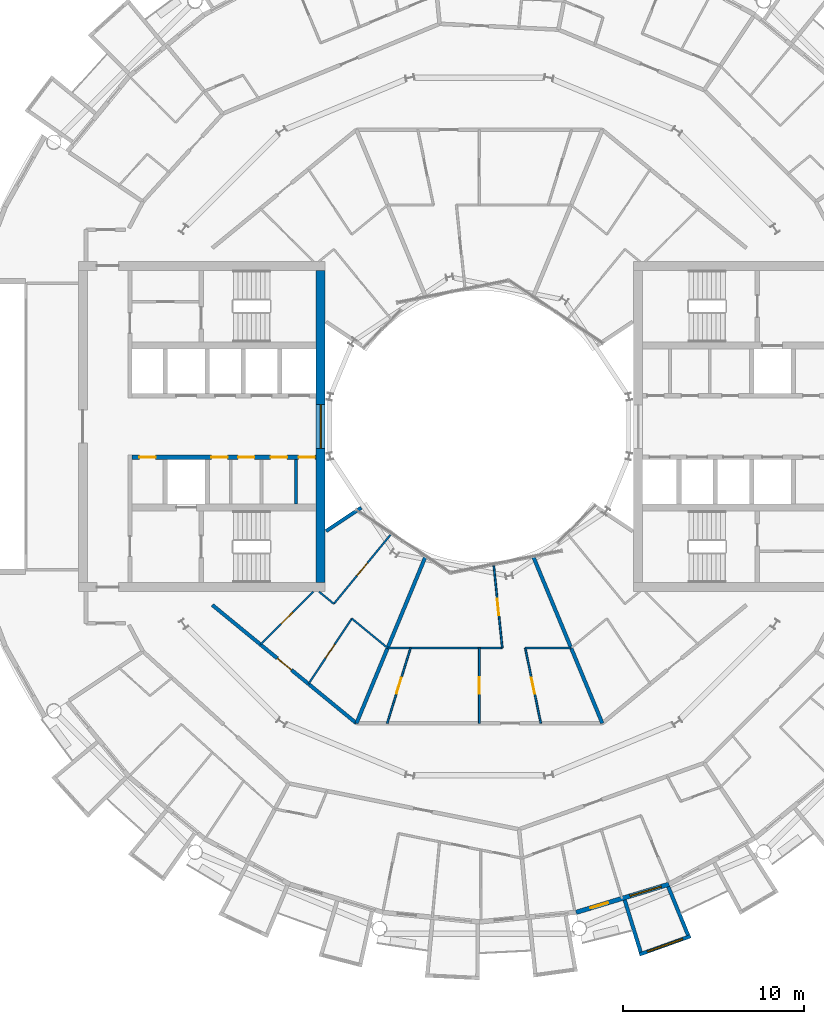
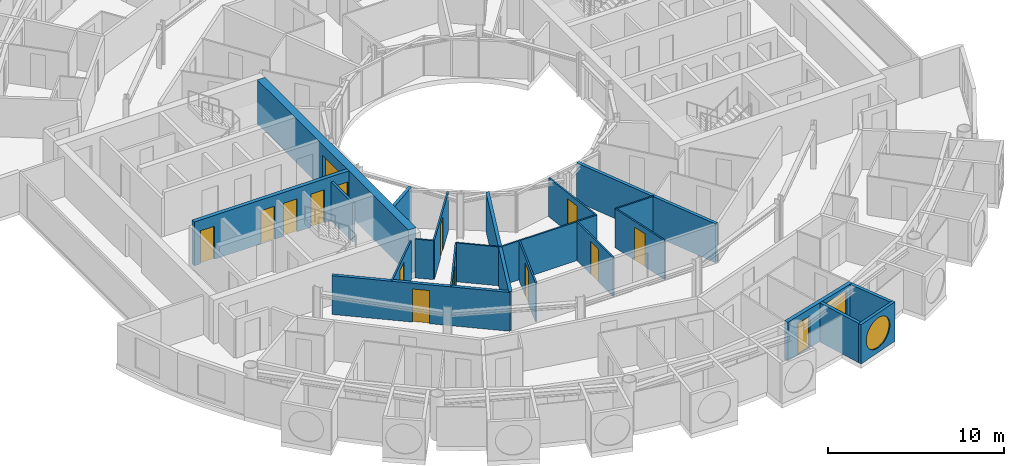
# One storey, part 16 of 28: 22 walls, 14 doors, 3 windows, 17 openings.
"""IFC4 building model written with IfcOpenShell, lengths in metres."""

from ifc_helpers import new_model, si_unit, direction, frame, frame_2d, origin, place, context, subcontext, project, spatial, rectangle, circle, extrude, material, layer, layer_set, type_object, element, fill, save


model = new_model("IFC4")

# Units and contexts
model_context = context("Model", 3, precision=1e-05, world=origin(), true_north=direction((0.0, 1.0)))
body_context = subcontext(model_context, "Body", "Model", "MODEL_VIEW")
ifc_project = project(units=[si_unit("LENGTHUNIT", "METRE"), si_unit("AREAUNIT", "SQUARE_METRE"), si_unit("VOLUMEUNIT", "CUBIC_METRE"), si_unit("PLANEANGLEUNIT", "RADIAN"), si_unit("MASSUNIT", "GRAM", prefix="KILO")], contexts=[model_context])

# Site, building, storey
site_placement = place(None, origin())
site = spatial("IfcSite", under=ifc_project, at=site_placement, CompositionType="ELEMENT")
building_placement = place(site_placement, origin())
building = spatial("IfcBuilding", under=site, at=building_placement, Name="Maasbend Ring Residences", CompositionType="ELEMENT")
storey_placement = place(building_placement, frame((0.0, 0.0, 173.800048828125)))
storey = spatial("IfcBuildingStorey", under=building, at=storey_placement, Name="L50", CompositionType="ELEMENT", Elevation=173.800048828125)

# Wall, openings, doors
ifc_material_1 = material(Name="Concrete C60/75", Category="concrete")
ifc_layer_1 = layer(ifc_material_1, 0.25)
ifc_layer_set_1 = layer_set([ifc_layer_1], Name="Concrete C60/75")
wall_type_1 = type_object("IfcWallType", Name="CORE WALL 250 C60/75", PredefinedType="SHEAR", material=ifc_layer_set_1)
wall_1_placement = place(storey_placement, frame((-9.0, -1.699951171875, 0.0), z_axis=(0.0, 0.0, 1.0), x_axis=(-1.0, 0.0, 0.0)))
wall_1 = element("IfcWall", 1, at=wall_1_placement, inside=storey, type_object=wall_type_1, Name="L50 core W wall SPN", PredefinedType="SHEAR", context=body_context, shape_type="SweptSolid", body=[
    extrude(rectangle(XDim=10.14990234375, YDim=0.25, at=frame_2d((5.074951171875, 0.0))), origin(), (0.0, 0.0, 1.0), 3.050048828125),
])
opening_1_placement = place(wall_1_placement, frame((0.0625, 0.0, 0.0)))
opening_1 = element("IfcOpeningElement", 2, at=opening_1_placement, cuts=wall_1, Name="Opening D-W5006", PredefinedType="OPENING", context=body_context, shape_type="SweptSolid", body=[
    extrude(rectangle(XDim=0.89990234375, YDim=2.300048828125, at=frame_2d((0.449951171875, 1.14990234375))), frame((0.0, 0.135009765625, 0.0), z_axis=(0.0, -1.0, 0.0), x_axis=(1.0, 0.0, 0.0)), (0.0, 0.0, 1.0), 0.27001953125),
])
opening_2_placement = place(wall_1_placement, frame((1.60009765625, 0.0, 0.0)))
opening_2 = element("IfcOpeningElement", 3, at=opening_2_placement, cuts=wall_1, Name="Opening D-W5007", PredefinedType="OPENING", context=body_context, shape_type="SweptSolid", body=[
    extrude(rectangle(XDim=0.89990234375, YDim=2.300048828125, at=frame_2d((0.449951171875, 1.14990234375))), frame((0.0, 0.135009765625, 0.0), z_axis=(0.0, -1.0, 0.0), x_axis=(1.0, 0.0, 0.0)), (0.0, 0.0, 1.0), 0.27001953125),
])
opening_3_placement = place(wall_1_placement, frame((3.39990234375, 0.0, 0.0)))
opening_3 = element("IfcOpeningElement", 4, at=opening_3_placement, cuts=wall_1, Name="Opening D-W5008", PredefinedType="OPENING", context=body_context, shape_type="SweptSolid", body=[
    extrude(rectangle(XDim=0.89990234375, YDim=2.300048828125, at=frame_2d((0.449951171875, 1.14990234375))), frame((0.0, 0.135009765625, 0.0), z_axis=(0.0, -1.0, 0.0), x_axis=(1.0, 0.0, 0.0)), (0.0, 0.0, 1.0), 0.27001953125),
])
opening_4_placement = place(wall_1_placement, frame((4.875, 0.0, 0.0)))
opening_4 = element("IfcOpeningElement", 5, at=opening_4_placement, cuts=wall_1, Name="Opening D-W5009", PredefinedType="OPENING", context=body_context, shape_type="SweptSolid", body=[
    extrude(rectangle(XDim=0.89990234375, YDim=2.300048828125, at=frame_2d((0.449951171875, 1.14990234375))), frame((0.0, 0.135009765625, 0.0), z_axis=(0.0, -1.0, 0.0), x_axis=(1.0, 0.0, 0.0)), (0.0, 0.0, 1.0), 0.27001953125),
])
opening_5_placement = place(wall_1_placement, frame((8.83740234375, 0.0, 0.0)))
opening_5 = element("IfcOpeningElement", 6, at=opening_5_placement, cuts=wall_1, Name="Opening D-W5010", PredefinedType="OPENING", context=body_context, shape_type="SweptSolid", body=[
    extrude(rectangle(XDim=0.89990234375, YDim=2.300048828125, at=frame_2d((0.449951171875, 1.14990234375))), frame((0.0, 0.135009765625, 0.0), z_axis=(0.0, -1.0, 0.0), x_axis=(1.0, 0.0, 0.0)), (0.0, 0.0, 1.0), 0.27001953125),
])
ifc_material_2 = material(Name="Steel, powder coated", Category="steel")
door_type_1 = type_object("IfcDoorType", Name="ROOM DOOR 900 X 2300 FD30S", OperationType="NOTDEFINED", PredefinedType="DOOR", material=ifc_material_2)
door_1_placement = place(opening_1_placement, origin())
door_1 = element("IfcDoor", 7, at=door_1_placement, inside=storey, type_object=door_type_1, Name="Room door L50", OperationType="SINGLE_SWING_RIGHT", OverallHeight=2.300048828125, OverallWidth=0.89990234375, PredefinedType="DOOR", context=body_context, shape_type="SweptSolid", body=[
    extrude(rectangle(XDim=0.89990234375, YDim=2.300048828125, at=frame_2d((0.449951171875, 1.14990234375))), frame((0.0, 0.02490234375, 0.0), z_axis=(0.0, -1.0, 0.0), x_axis=(1.0, 0.0, 0.0)), (0.0, 0.0, 1.0), 0.050048828125),
])
fill(opening_1, door_1)
door_2_placement = place(opening_2_placement, origin())
door_2 = element("IfcDoor", 8, at=door_2_placement, inside=storey, type_object=door_type_1, Name="Room door L50", OperationType="SINGLE_SWING_RIGHT", OverallHeight=2.300048828125, OverallWidth=0.89990234375, PredefinedType="DOOR", context=body_context, shape_type="SweptSolid", body=[
    extrude(rectangle(XDim=0.89990234375, YDim=2.300048828125, at=frame_2d((0.449951171875, 1.14990234375))), frame((0.0, 0.02490234375, 0.0), z_axis=(0.0, -1.0, 0.0), x_axis=(1.0, 0.0, 0.0)), (0.0, 0.0, 1.0), 0.050048828125),
])
fill(opening_2, door_2)
door_3_placement = place(opening_3_placement, origin())
door_3 = element("IfcDoor", 9, at=door_3_placement, inside=storey, type_object=door_type_1, Name="Room door L50", OperationType="SINGLE_SWING_RIGHT", OverallHeight=2.300048828125, OverallWidth=0.89990234375, PredefinedType="DOOR", context=body_context, shape_type="SweptSolid", body=[
    extrude(rectangle(XDim=0.89990234375, YDim=2.300048828125, at=frame_2d((0.449951171875, 1.14990234375))), frame((0.0, 0.02490234375, 0.0), z_axis=(0.0, -1.0, 0.0), x_axis=(1.0, 0.0, 0.0)), (0.0, 0.0, 1.0), 0.050048828125),
])
fill(opening_3, door_3)
door_4_placement = place(opening_4_placement, origin())
door_4 = element("IfcDoor", 10, at=door_4_placement, inside=storey, type_object=door_type_1, Name="Room door L50", OperationType="SINGLE_SWING_LEFT", OverallHeight=2.300048828125, OverallWidth=0.89990234375, PredefinedType="DOOR", context=body_context, shape_type="SweptSolid", body=[
    extrude(rectangle(XDim=0.89990234375, YDim=2.300048828125, at=frame_2d((0.449951171875, 1.14990234375))), frame((0.0, 0.02490234375, 0.0), z_axis=(0.0, -1.0, 0.0), x_axis=(1.0, 0.0, 0.0)), (0.0, 0.0, 1.0), 0.050048828125),
])
fill(opening_4, door_4)
door_5_placement = place(opening_5_placement, origin())
door_5 = element("IfcDoor", 11, at=door_5_placement, inside=storey, type_object=door_type_1, Name="Room door L50", OperationType="SINGLE_SWING_LEFT", OverallHeight=2.300048828125, OverallWidth=0.89990234375, PredefinedType="DOOR", context=body_context, shape_type="SweptSolid", body=[
    extrude(rectangle(XDim=0.89990234375, YDim=2.300048828125, at=frame_2d((0.449951171875, 1.14990234375))), frame((0.0, 0.02490234375, 0.0), z_axis=(0.0, -1.0, 0.0), x_axis=(1.0, 0.0, 0.0)), (0.0, 0.0, 1.0), 0.050048828125),
])
fill(opening_5, door_5)

# Wall, opening, window
ifc_material_3 = material(Name="Concrete C60/75", Category="concrete")
ifc_layer_2 = layer(ifc_material_3, 0.5)
ifc_layer_set_2 = layer_set([ifc_layer_2], Name="Concrete C60/75")
wall_type_2 = type_object("IfcWallType", Name="CORE WALL 500 C60/75", PredefinedType="SHEAR", material=ifc_layer_set_2)
wall_2_placement = place(storey_placement, frame((-8.75, 8.60009765625, 0.0), z_axis=(0.0, 0.0, 1.0), x_axis=(0.0, -1.0, 0.0)))
wall_2 = element("IfcWall", 12, at=wall_2_placement, inside=storey, type_object=wall_type_2, Name="L50 core W wall PIN", PredefinedType="SHEAR", context=body_context, shape_type="SweptSolid", body=[
    extrude(rectangle(XDim=17.2001953125, YDim=0.5, at=frame_2d((8.60009765625, 0.0))), origin(), (0.0, 0.0, 1.0), 3.050048828125),
])
opening_6_placement = place(wall_2_placement, frame((7.39990234375, 0.0, 0.10009765625)))
opening_6 = element("IfcOpeningElement", 13, at=opening_6_placement, cuts=wall_2, Name="Opening W-W5001", PredefinedType="OPENING", context=body_context, shape_type="SweptSolid", body=[
    extrude(rectangle(XDim=2.39990234375, YDim=2.199951171875, at=frame_2d((1.199951171875, 1.10009765625))), frame((0.0, 0.260009765625, 0.0), z_axis=(0.0, -1.0, 0.0), x_axis=(1.0, 0.0, 0.0)), (0.0, 0.0, 1.0), 0.52001953125),
])
ifc_material_4 = material(Name="Aluminium frame and clear glass", Category="aluminium")
window_type_1 = type_object("IfcWindowType", Name="FIXED WINDOW 2400 X 2200", PartitioningType="SINGLE_PANEL", PredefinedType="WINDOW", material=ifc_material_4)
window_1_placement = place(opening_6_placement, origin())
window_1 = element("IfcWindow", 14, at=window_1_placement, inside=storey, type_object=window_type_1, Name="Lobby window L50", OverallHeight=2.199951171875, OverallWidth=2.39990234375, PartitioningType="SINGLE_PANEL", PredefinedType="WINDOW", context=body_context, shape_type="SweptSolid", body=[
    extrude(rectangle(XDim=2.39990234375, YDim=2.199951171875, at=frame_2d((1.199951171875, 1.10009765625))), frame((0.0, 0.030029296875, 0.0), z_axis=(0.0, -1.0, 0.0), x_axis=(1.0, 0.0, 0.0)), (0.0, 0.0, 1.0), 0.06005859375),
])
fill(opening_6, window_1)

# Wall, opening, door
ifc_material_5 = material(Name="Concrete C30/37", Category="concrete")
ifc_layer_3 = layer(ifc_material_5, 0.199951171875)
ifc_layer_set_3 = layer_set([ifc_layer_3], Name="Concrete C30/37")
wall_type_3 = type_object("IfcWallType", Name="CORRIDOR WALL 200 CONCRETE", PredefinedType="PARTITIONING", material=ifc_layer_set_3)
wall_3_placement = place(storey_placement, frame((-14.717041015625, -9.833984375, 0.0), z_axis=(0.0, 0.0, 1.0), x_axis=(0.773034536097, -0.634363938131, 0.0)))
wall_3 = element("IfcWall", 15, at=wall_3_placement, inside=storey, type_object=wall_type_3, Name="U-L50-w017", PredefinedType="PARTITIONING", context=body_context, shape_type="SweptSolid", body=[
    extrude(rectangle(XDim=10.276611328125, YDim=0.199951171875, at=frame_2d((5.13818359375, 0.0))), origin(), (0.0, 0.0, 1.0), 2.699951171875),
])
opening_7_placement = place(wall_3_placement, frame((4.637939453125, 0.0, 0.0)))
opening_7 = element("IfcOpeningElement", 16, at=opening_7_placement, cuts=wall_3, Name="Opening D-5052", PredefinedType="OPENING", context=body_context, shape_type="SweptSolid", body=[
    extrude(rectangle(XDim=1.0, YDim=2.300048828125, at=frame_2d((0.5, 1.14990234375))), frame((0.0, 0.10986328125, 0.0), z_axis=(0.0, -1.0, 0.0), x_axis=(1.0, 0.0, 0.0)), (0.0, 0.0, 1.0), 0.219970703125),
])
ifc_material_6 = material(Name="Timber, fire-rated, painted", Category="wood")
door_type_2 = type_object("IfcDoorType", Name="FLAT ENTRANCE DOOR 1000 X 2300 FIRE-RATED", OperationType="NOTDEFINED", PredefinedType="DOOR", material=ifc_material_6)
door_6_placement = place(opening_7_placement, origin())
door_6 = element("IfcDoor", 17, at=door_6_placement, inside=storey, type_object=door_type_2, Name="D-5052", OperationType="SINGLE_SWING_LEFT", OverallHeight=2.300048828125, OverallWidth=1.0, PredefinedType="DOOR", context=body_context, shape_type="SweptSolid", body=[
    extrude(rectangle(XDim=1.0, YDim=2.300048828125, at=frame_2d((0.5, 1.14990234375))), frame((0.0, 0.02490234375, 0.0), z_axis=(0.0, -1.0, 0.0), x_axis=(1.0, 0.0, 0.0)), (0.0, 0.0, 1.0), 0.050048828125),
])
fill(opening_7, door_6)

# Wall, opening, window
ifc_material_7 = material(Name="Pale anodised aluminium panel", Category="aluminium")
ifc_layer_4 = layer(ifc_material_7, 0.199951171875)
ifc_layer_set_4 = layer_set([ifc_layer_4], Name="EW-BOX")
wall_type_4 = type_object("IfcWallType", Name="EW-BOX", PredefinedType="SOLIDWALL", material=ifc_layer_set_4)
wall_4_placement = place(storey_placement, frame((8.820068359375, -29.093017578125, -0.030029296875), z_axis=(0.0, 0.0, 1.0), x_axis=(0.941461077774, 0.337121697664, 0.0)))
wall_4 = element("IfcWall", 18, at=wall_4_placement, inside=storey, type_object=wall_type_4, Name="Box front S14", PredefinedType="SOLIDWALL", context=body_context, shape_type="SweptSolid", body=[
    extrude(rectangle(XDim=2.9931640625, YDim=0.199951171875, at=frame_2d((1.49658203125, 0.0))), origin(), (0.0, 0.0, 1.0), 2.72998046875),
])
opening_8_placement = place(wall_4_placement, frame((0.45654296875, 0.0, 0.330078125)))
opening_8 = element("IfcOpeningElement", 19, at=opening_8_placement, cuts=wall_4, Name="Opening W-RD", PredefinedType="OPENING", context=body_context, shape_type="SweptSolid", body=[
    extrude(circle(Radius=1.0400390625, at=frame_2d((1.0400390625, 1.0400390625))), frame((0.0, 0.10986328125, 0.0), z_axis=(0.0, -1.0, 0.0), x_axis=(1.0, 0.0, 0.0)), (0.0, 0.0, 1.0), 0.219970703125),
])
ifc_material_8 = material(Name="Aluminium and clear glass", Category="aluminium")
window_type_2 = type_object("IfcWindowType", Name="W-RD", PartitioningType="SINGLE_PANEL", PredefinedType="WINDOW", material=ifc_material_8)
window_2_placement = place(opening_8_placement, origin())
window_2 = element("IfcWindow", 20, at=window_2_placement, inside=storey, type_object=window_type_2, Name="Round window S14", OverallHeight=2.080078125, OverallWidth=2.080078125, PartitioningType="SINGLE_PANEL", PredefinedType="WINDOW", context=body_context, shape_type="SweptSolid", body=[
    extrude(circle(Radius=1.0400390625, at=frame_2d((1.0400390625, 1.0400390625))), frame((0.0, 0.030029296875, 0.0), z_axis=(0.0, -1.0, 0.0), x_axis=(1.0, 0.0, 0.0)), (0.0, 0.0, 1.0), 0.06005859375),
])
fill(opening_8, window_2)

# Walls
wall_5_placement = place(storey_placement, frame((8.009033203125, -26.092041015625, -0.030029296875), z_axis=(0.0, 0.0, 1.0), x_axis=(0.293406695073, -0.955987715029, 0.0)))
element("IfcWall", 21, at=wall_5_placement, inside=storey, type_object=wall_type_4, Name="Box side wall S14 left", PredefinedType="SOLIDWALL", context=body_context, shape_type="SweptSolid", body=[
    extrude(rectangle(XDim=3.00634765625, YDim=0.199951171875, at=frame_2d((1.503173828125, 0.0))), origin(), (0.0, 0.0, 1.0), 2.72998046875),
])
wall_6_placement = place(storey_placement, frame((10.408935546875, -25.364013671875, -0.030029296875), z_axis=(0.0, 0.0, 1.0), x_axis=(0.379509886562, -0.925187681501, 0.0)))
element("IfcWall", 22, at=wall_6_placement, inside=storey, type_object=wall_type_4, Name="Box side wall S14 right", PredefinedType="SOLIDWALL", context=body_context, shape_type="SweptSolid", body=[
    extrude(rectangle(XDim=2.882568359375, YDim=0.199951171875, at=frame_2d((1.44140625, 0.0))), origin(), (0.0, 0.0, 1.0), 2.72998046875),
])

# Wall, openings, door, window
ifc_material_9 = material(Name="Aluminium clad insulated panel", Category="aluminium")
ifc_layer_5 = layer(ifc_material_9, 0.25)
ifc_layer_set_5 = layer_set([ifc_layer_5], Name="EW-GL")
wall_type_5 = type_object("IfcWallType", Name="EW-GL", PredefinedType="SOLIDWALL", material=ifc_layer_set_5)
wall_7_placement = place(storey_placement, frame((5.325927734375, -26.77490234375, 0.0), z_axis=(0.0, 0.0, 1.0), x_axis=(0.956965678721, 0.290201119486, 0.0)))
wall_7 = element("IfcWall", 23, at=wall_7_placement, inside=storey, type_object=wall_type_5, Name="External wall S07", PredefinedType="SOLIDWALL", context=body_context, shape_type="SweptSolid", body=[
    extrude(rectangle(XDim=5.351318359375, YDim=0.25, at=frame_2d((2.67578125, 0.0))), origin(), (0.0, 0.0, 1.0), 2.699951171875),
])
opening_9_placement = place(wall_7_placement, frame((0.841064453125, 0.0, 0.0)))
opening_9 = element("IfcOpeningElement", 24, at=opening_9_placement, cuts=wall_7, Name="Opening D-LG", PredefinedType="OPENING", context=body_context, shape_type="SweptSolid", body=[
    extrude(rectangle(XDim=1.0, YDim=2.199951171875, at=frame_2d((0.5, 1.10009765625))), frame((0.0, 0.135009765625, 0.0), z_axis=(0.0, -1.0, 0.0), x_axis=(1.0, 0.0, 0.0)), (0.0, 0.0, 1.0), 0.27001953125),
])
opening_10_placement = place(wall_7_placement, frame((3.110595703125, 0.0, 0.300048828125)))
opening_10 = element("IfcOpeningElement", 25, at=opening_10_placement, cuts=wall_7, Name="Opening W-BX", PredefinedType="OPENING", context=body_context, shape_type="SweptSolid", body=[
    extrude(rectangle(XDim=1.800048828125, YDim=2.10009765625, at=frame_2d((0.89990234375, 1.050048828125))), frame((0.0, 0.135009765625, 0.0), z_axis=(0.0, -1.0, 0.0), x_axis=(1.0, 0.0, 0.0)), (0.0, 0.0, 1.0), 0.27001953125),
])
ifc_material_10 = material(Name="Aluminium and clear glass", Category="aluminium")
door_type_3 = type_object("IfcDoorType", Name="D-LG", OperationType="SINGLE_SWING_LEFT", PredefinedType="DOOR", material=ifc_material_10)
door_7_placement = place(opening_9_placement, origin())
door_7 = element("IfcDoor", 26, at=door_7_placement, inside=storey, type_object=door_type_3, Name="Loggia door S13", OperationType="SINGLE_SWING_LEFT", OverallHeight=2.199951171875, OverallWidth=1.0, PredefinedType="DOOR", context=body_context, shape_type="SweptSolid", body=[
    extrude(rectangle(XDim=1.0, YDim=2.199951171875, at=frame_2d((0.5, 1.10009765625))), frame((0.0, 0.02490234375, 0.0), z_axis=(0.0, -1.0, 0.0), x_axis=(1.0, 0.0, 0.0)), (0.0, 0.0, 1.0), 0.050048828125),
])
fill(opening_9, door_7)
ifc_material_11 = material(Name="Aluminium and clear glass", Category="aluminium")
window_type_3 = type_object("IfcWindowType", Name="W-BX", PartitioningType="DOUBLE_PANEL_VERTICAL", PredefinedType="WINDOW", material=ifc_material_11)
window_3_placement = place(opening_10_placement, origin())
window_3 = element("IfcWindow", 27, at=window_3_placement, inside=storey, type_object=window_type_3, Name="Window S14 room to box", OverallHeight=2.10009765625, OverallWidth=1.800048828125, PartitioningType="SINGLE_PANEL", PredefinedType="WINDOW", context=body_context, shape_type="SweptSolid", body=[
    extrude(rectangle(XDim=1.800048828125, YDim=2.10009765625, at=frame_2d((0.89990234375, 1.050048828125))), frame((0.0, 0.030029296875, 0.0), z_axis=(0.0, -1.0, 0.0), x_axis=(1.0, 0.0, 0.0)), (0.0, 0.0, 1.0), 0.06005859375),
])
fill(opening_10, window_3)

# Walls
ifc_material_12 = material(Name="Gypsum board on steel studs", Category="steel")
ifc_layer_6 = layer(ifc_material_12, 0.10009765625)
ifc_layer_set_6 = layer_set([ifc_layer_6], Name="PARTITION 100 GYPSUM")
wall_type_6 = type_object("IfcWallType", Name="PARTITION 100 GYPSUM", PredefinedType="PARTITIONING", material=ifc_layer_set_6)
wall_8_placement = place(storey_placement, frame((-8.839111328125, -9.097900390625, 0.0), z_axis=(0.0, 0.0, 1.0), x_axis=(0.7731800648, -0.634186555673, 0.0)))
element("IfcWall", 28, at=wall_8_placement, inside=storey, type_object=wall_type_6, Name="U-L50-w020", PredefinedType="PARTITIONING", context=body_context, shape_type="SweptSolid", body=[
    extrude(rectangle(XDim=1.064453125, YDim=0.10009765625, at=frame_2d((0.5322265625, 0.0))), origin(), (0.0, 0.0, 1.0), 2.699951171875),
])
wall_9_placement = place(storey_placement, frame((-7.031005859375, -10.58203125, 0.0), z_axis=(0.0, 0.0, 1.0), x_axis=(0.772943675046, -0.634474645046, 0.0)))
element("IfcWall", 29, at=wall_9_placement, inside=storey, type_object=wall_type_6, Name="U-L50-w021", PredefinedType="PARTITIONING", context=body_context, shape_type="SweptSolid", body=[
    extrude(rectangle(XDim=2.556640625, YDim=0.10009765625, at=frame_2d((1.2783203125, 0.0))), origin(), (0.0, 0.0, 1.0), 2.699951171875),
])
wall_10_placement = place(storey_placement, frame((-5.054931640625, -12.2041015625, 0.0), z_axis=(0.0, 0.0, 1.0), x_axis=(1.0, 0.0, 0.0)))
element("IfcWall", 30, at=wall_10_placement, inside=storey, type_object=wall_type_6, Name="U-L50-w024", PredefinedType="PARTITIONING", context=body_context, shape_type="SweptSolid", body=[
    extrude(rectangle(XDim=6.31884765625, YDim=0.10009765625, at=frame_2d((3.159423828125, 0.0))), origin(), (0.0, 0.0, 1.0), 2.699951171875),
])
wall_11_placement = place(storey_placement, frame((2.527099609375, -12.2041015625, 0.0), z_axis=(0.0, 0.0, 1.0), x_axis=(1.0, 0.0, 0.0)))
element("IfcWall", 31, at=wall_11_placement, inside=storey, type_object=wall_type_6, Name="U-L50-w025", PredefinedType="PARTITIONING", context=body_context, shape_type="SweptSolid", body=[
    extrude(rectangle(XDim=2.52783203125, YDim=0.10009765625, at=frame_2d((1.263916015625, 0.0))), origin(), (0.0, 0.0, 1.0), 2.699951171875),
])

# Wall, opening, door
wall_12_placement = place(storey_placement, frame((-12.06494140625, -12.010986328125, 0.0), z_axis=(0.0, 0.0, 1.0), x_axis=(0.708793214553, 0.705416316088, 0.0)))
wall_12 = element("IfcWall", 32, at=wall_12_placement, inside=storey, type_object=wall_type_6, Name="U-L50-w044", PredefinedType="PARTITIONING", context=body_context, shape_type="SweptSolid", body=[
    extrude(rectangle(XDim=4.120849609375, YDim=0.10009765625, at=frame_2d((2.060546875, 0.0))), origin(), (0.0, 0.0, 1.0), 2.699951171875),
])
opening_11_placement = place(wall_12_placement, frame((1.611083984375, 0.0, 0.0)))
opening_11 = element("IfcOpeningElement", 33, at=opening_11_placement, cuts=wall_12, Name="Opening D-5054", PredefinedType="OPENING", context=body_context, shape_type="SweptSolid", body=[
    extrude(rectangle(XDim=0.89990234375, YDim=2.300048828125, at=frame_2d((0.449951171875, 1.14990234375))), frame((0.0, 0.06005859375, 0.0), z_axis=(0.0, -1.0, 0.0), x_axis=(1.0, 0.0, 0.0)), (0.0, 0.0, 1.0), 0.1201171875),
])
ifc_material_13 = material(Name="Timber, painted", Category="wood")
door_type_4 = type_object("IfcDoorType", Name="INTERNAL DOOR 900 X 2300", OperationType="NOTDEFINED", PredefinedType="DOOR", material=ifc_material_13)
door_8_placement = place(opening_11_placement, origin())
door_8 = element("IfcDoor", 34, at=door_8_placement, inside=storey, type_object=door_type_4, Name="D-5054", OperationType="SINGLE_SWING_LEFT", OverallHeight=2.300048828125, OverallWidth=0.89990234375, PredefinedType="DOOR", context=body_context, shape_type="SweptSolid", body=[
    extrude(rectangle(XDim=0.89990234375, YDim=2.300048828125, at=frame_2d((0.449951171875, 1.14990234375))), frame((0.0, 0.02490234375, 0.0), z_axis=(0.0, -1.0, 0.0), x_axis=(1.0, 0.0, 0.0)), (0.0, 0.0, 1.0), 0.050048828125),
])
fill(opening_11, door_8)

wall_13_placement = place(storey_placement, frame((-9.41796875, -14.181884765625, 0.0), z_axis=(0.0, 0.0, 1.0), x_axis=(0.553303732327, 0.832979579457, 0.0)))
wall_13 = element("IfcWall", 35, at=wall_13_placement, inside=storey, type_object=wall_type_6, Name="U-L50-w047", PredefinedType="PARTITIONING", context=body_context, shape_type="SweptSolid", body=[
    extrude(rectangle(XDim=4.3193359375, YDim=0.10009765625, at=frame_2d((2.15966796875, 0.0))), origin(), (0.0, 0.0, 1.0), 2.699951171875),
])
opening_12_placement = place(wall_13_placement, frame((1.7099609375, 0.0, 0.0)))
opening_12 = element("IfcOpeningElement", 36, at=opening_12_placement, cuts=wall_13, Name="Opening D-5053", PredefinedType="OPENING", context=body_context, shape_type="SweptSolid", body=[
    extrude(rectangle(XDim=0.89990234375, YDim=2.300048828125, at=frame_2d((0.449951171875, 1.14990234375))), frame((0.0, 0.06005859375, 0.0), z_axis=(0.0, -1.0, 0.0), x_axis=(1.0, 0.0, 0.0)), (0.0, 0.0, 1.0), 0.1201171875),
])
door_9_placement = place(opening_12_placement, origin())
door_9 = element("IfcDoor", 37, at=door_9_placement, inside=storey, type_object=door_type_4, Name="D-5053", OperationType="SINGLE_SWING_RIGHT", OverallHeight=2.300048828125, OverallWidth=0.89990234375, PredefinedType="DOOR", context=body_context, shape_type="SweptSolid", body=[
    extrude(rectangle(XDim=0.89990234375, YDim=2.300048828125, at=frame_2d((0.449951171875, 1.14990234375))), frame((0.0, 0.02490234375, 0.0), z_axis=(0.0, -1.0, 0.0), x_axis=(1.0, 0.0, 0.0)), (0.0, 0.0, 1.0), 0.050048828125),
])
fill(opening_12, door_9)

wall_14_placement = place(storey_placement, frame((-8.01904296875, -9.77099609375, 0.0), z_axis=(0.0, 0.0, 1.0), x_axis=(0.634401778971, 0.773003481776, 0.0)))
wall_14 = element("IfcWall", 38, at=wall_14_placement, inside=storey, type_object=wall_type_6, Name="U-L50-w049", PredefinedType="PARTITIONING", context=body_context, shape_type="SweptSolid", body=[
    extrude(rectangle(XDim=4.919677734375, YDim=0.10009765625, at=frame_2d((2.4599609375, 0.0))), origin(), (0.0, 0.0, 1.0), 2.699951171875),
])
opening_13_placement = place(wall_14_placement, frame((2.010009765625, 0.0, 0.0)))
opening_13 = element("IfcOpeningElement", 39, at=opening_13_placement, cuts=wall_14, Name="Opening D-5055", PredefinedType="OPENING", context=body_context, shape_type="SweptSolid", body=[
    extrude(rectangle(XDim=0.89990234375, YDim=2.300048828125, at=frame_2d((0.449951171875, 1.14990234375))), frame((0.0, 0.06005859375, 0.0), z_axis=(0.0, -1.0, 0.0), x_axis=(1.0, 0.0, 0.0)), (0.0, 0.0, 1.0), 0.1201171875),
])
door_10_placement = place(opening_13_placement, origin())
door_10 = element("IfcDoor", 40, at=door_10_placement, inside=storey, type_object=door_type_4, Name="D-5055", OperationType="SINGLE_SWING_LEFT", OverallHeight=2.300048828125, OverallWidth=0.89990234375, PredefinedType="DOOR", context=body_context, shape_type="SweptSolid", body=[
    extrude(rectangle(XDim=0.89990234375, YDim=2.300048828125, at=frame_2d((0.449951171875, 1.14990234375))), frame((0.0, 0.02490234375, 0.0), z_axis=(0.0, -1.0, 0.0), x_axis=(1.0, 0.0, 0.0)), (0.0, 0.0, 1.0), 0.050048828125),
])
fill(opening_13, door_10)

wall_15_placement = place(storey_placement, frame((-5.080078125, -16.35302734375, 0.0), z_axis=(0.0, 0.0, 1.0), x_axis=(0.29670674532, 0.954968642041, 0.0)))
wall_15 = element("IfcWall", 41, at=wall_15_placement, inside=storey, type_object=wall_type_6, Name="U-L50-w055", PredefinedType="PARTITIONING", context=body_context, shape_type="SweptSolid", body=[
    extrude(rectangle(XDim=4.344482421875, YDim=0.10009765625, at=frame_2d((2.17236328125, 0.0))), origin(), (0.0, 0.0, 1.0), 2.699951171875),
])
opening_14_placement = place(wall_15_placement, frame((1.721923828125, 0.0, 0.0)))
opening_14 = element("IfcOpeningElement", 42, at=opening_14_placement, cuts=wall_15, Name="Opening D-5059", PredefinedType="OPENING", context=body_context, shape_type="SweptSolid", body=[
    extrude(rectangle(XDim=0.89990234375, YDim=2.300048828125, at=frame_2d((0.449951171875, 1.14990234375))), frame((0.0, 0.06005859375, 0.0), z_axis=(0.0, -1.0, 0.0), x_axis=(1.0, 0.0, 0.0)), (0.0, 0.0, 1.0), 0.1201171875),
])
door_11_placement = place(opening_14_placement, origin())
door_11 = element("IfcDoor", 43, at=door_11_placement, inside=storey, type_object=door_type_4, Name="D-5059", OperationType="SINGLE_SWING_LEFT", OverallHeight=2.300048828125, OverallWidth=0.89990234375, PredefinedType="DOOR", context=body_context, shape_type="SweptSolid", body=[
    extrude(rectangle(XDim=0.89990234375, YDim=2.300048828125, at=frame_2d((0.449951171875, 1.14990234375))), frame((0.0, 0.02490234375, 0.0), z_axis=(0.0, -1.0, 0.0), x_axis=(1.0, 0.0, 0.0)), (0.0, 0.0, 1.0), 0.050048828125),
])
fill(opening_14, door_11)

wall_16_placement = place(storey_placement, frame((0.0, -16.35302734375, 0.0), z_axis=(0.0, 0.0, 1.0), x_axis=(0.0, 1.0, 0.0)))
wall_16 = element("IfcWall", 44, at=wall_16_placement, inside=storey, type_object=wall_type_6, Name="U-L50-w061", PredefinedType="PARTITIONING", context=body_context, shape_type="SweptSolid", body=[
    extrude(rectangle(XDim=4.14892578125, YDim=0.10009765625, at=frame_2d((2.074462890625, 0.0))), origin(), (0.0, 0.0, 1.0), 2.699951171875),
])
opening_15_placement = place(wall_16_placement, frame((1.625, 0.0, 0.0)))
opening_15 = element("IfcOpeningElement", 45, at=opening_15_placement, cuts=wall_16, Name="Opening D-5058", PredefinedType="OPENING", context=body_context, shape_type="SweptSolid", body=[
    extrude(rectangle(XDim=0.89990234375, YDim=2.300048828125, at=frame_2d((0.449951171875, 1.14990234375))), frame((0.0, 0.06005859375, 0.0), z_axis=(0.0, -1.0, 0.0), x_axis=(1.0, 0.0, 0.0)), (0.0, 0.0, 1.0), 0.1201171875),
])
door_12_placement = place(opening_15_placement, origin())
door_12 = element("IfcDoor", 46, at=door_12_placement, inside=storey, type_object=door_type_4, Name="D-5058", OperationType="SINGLE_SWING_RIGHT", OverallHeight=2.300048828125, OverallWidth=0.89990234375, PredefinedType="DOOR", context=body_context, shape_type="SweptSolid", body=[
    extrude(rectangle(XDim=0.89990234375, YDim=2.300048828125, at=frame_2d((0.449951171875, 1.14990234375))), frame((0.0, 0.02490234375, 0.0), z_axis=(0.0, -1.0, 0.0), x_axis=(1.0, 0.0, 0.0)), (0.0, 0.0, 1.0), 0.050048828125),
])
fill(opening_15, door_12)

wall_17_placement = place(storey_placement, frame((0.794921875, -7.678955078125, 0.0), z_axis=(0.0, 0.0, 1.0), x_axis=(0.103089563582, -0.994672077561, 0.0)))
wall_17 = element("IfcWall", 47, at=wall_17_placement, inside=storey, type_object=wall_type_6, Name="U-L50-w064", PredefinedType="PARTITIONING", context=body_context, shape_type="SweptSolid", body=[
    extrude(rectangle(XDim=4.54931640625, YDim=0.10009765625, at=frame_2d((2.274658203125, 0.0))), origin(), (0.0, 0.0, 1.0), 2.699951171875),
])
opening_16_placement = place(wall_17_placement, frame((1.824951171875, 0.0, 0.0)))
opening_16 = element("IfcOpeningElement", 48, at=opening_16_placement, cuts=wall_17, Name="Opening D-5060", PredefinedType="OPENING", context=body_context, shape_type="SweptSolid", body=[
    extrude(rectangle(XDim=0.89990234375, YDim=2.300048828125, at=frame_2d((0.449951171875, 1.14990234375))), frame((0.0, 0.06005859375, 0.0), z_axis=(0.0, -1.0, 0.0), x_axis=(1.0, 0.0, 0.0)), (0.0, 0.0, 1.0), 0.1201171875),
])
door_13_placement = place(opening_16_placement, origin())
door_13 = element("IfcDoor", 49, at=door_13_placement, inside=storey, type_object=door_type_4, Name="D-5060", OperationType="SINGLE_SWING_RIGHT", OverallHeight=2.300048828125, OverallWidth=0.89990234375, PredefinedType="DOOR", context=body_context, shape_type="SweptSolid", body=[
    extrude(rectangle(XDim=0.89990234375, YDim=2.300048828125, at=frame_2d((0.449951171875, 1.14990234375))), frame((0.0, 0.02490234375, 0.0), z_axis=(0.0, -1.0, 0.0), x_axis=(1.0, 0.0, 0.0)), (0.0, 0.0, 1.0), 0.050048828125),
])
fill(opening_16, door_13)

wall_18_placement = place(storey_placement, frame((2.527099609375, -12.2041015625, 0.0), z_axis=(0.0, 0.0, 1.0), x_axis=(0.202937120105, -0.979191771454, 0.0)))
wall_18 = element("IfcWall", 50, at=wall_18_placement, inside=storey, type_object=wall_type_6, Name="U-L50-w067", PredefinedType="PARTITIONING", context=body_context, shape_type="SweptSolid", body=[
    extrude(rectangle(XDim=4.237060546875, YDim=0.10009765625, at=frame_2d((2.11865234375, 0.0))), origin(), (0.0, 0.0, 1.0), 2.699951171875),
])
opening_17_placement = place(wall_18_placement, frame((1.6689453125, 0.0, 0.0)))
opening_17 = element("IfcOpeningElement", 51, at=opening_17_placement, cuts=wall_18, Name="Opening D-5057", PredefinedType="OPENING", context=body_context, shape_type="SweptSolid", body=[
    extrude(rectangle(XDim=0.89990234375, YDim=2.300048828125, at=frame_2d((0.449951171875, 1.14990234375))), frame((0.0, 0.06005859375, 0.0), z_axis=(0.0, -1.0, 0.0), x_axis=(1.0, 0.0, 0.0)), (0.0, 0.0, 1.0), 0.1201171875),
])
door_14_placement = place(opening_17_placement, origin())
door_14 = element("IfcDoor", 52, at=door_14_placement, inside=storey, type_object=door_type_4, Name="D-5057", OperationType="SINGLE_SWING_RIGHT", OverallHeight=2.300048828125, OverallWidth=0.89990234375, PredefinedType="DOOR", context=body_context, shape_type="SweptSolid", body=[
    extrude(rectangle(XDim=0.89990234375, YDim=2.300048828125, at=frame_2d((0.449951171875, 1.14990234375))), frame((0.0, 0.02490234375, 0.0), z_axis=(0.0, -1.0, 0.0), x_axis=(1.0, 0.0, 0.0)), (0.0, 0.0, 1.0), 0.050048828125),
])
fill(opening_17, door_14)

# Walls
ifc_material_14 = material(Name="Gypsum board on steel studs", Category="steel")
ifc_layer_7 = layer(ifc_material_14, 0.14990234375)
ifc_layer_set_7 = layer_set([ifc_layer_7], Name="PARTITION 150 EI 60")
wall_type_7 = type_object("IfcWallType", Name="PARTITION 150 EI 60", PredefinedType="PARTITIONING", material=ifc_layer_set_7)
wall_19_placement = place(storey_placement, frame((-10.10009765625, -1.824951171875, 0.0), z_axis=(0.0, 0.0, 1.0), x_axis=(0.0, -1.0, 0.0)))
element("IfcWall", 53, at=wall_19_placement, inside=storey, type_object=wall_type_7, Name="L50 core W wall PRN1010", PredefinedType="PARTITIONING", context=body_context, shape_type="SweptSolid", body=[
    extrude(rectangle(XDim=2.449951171875, YDim=0.14990234375, at=frame_2d((1.22509765625, 0.0))), origin(), (0.0, 0.0, 1.0), 2.699951171875),
])
ifc_material_15 = material(Name="Concrete C30/37", Category="concrete")
ifc_layer_8 = layer(ifc_material_15, 0.199951171875)
ifc_layer_set_8 = layer_set([ifc_layer_8], Name="Concrete C30/37")
wall_type_8 = type_object("IfcWallType", Name="PARTY WALL 200 CONCRETE", PredefinedType="PARTITIONING", material=ifc_layer_set_8)
wall_20_placement = place(storey_placement, frame((-6.512939453125, -4.471923828125, 0.0), z_axis=(0.0, 0.0, 1.0), x_axis=(-0.83133816625, -0.555766905579, 0.0)))
element("IfcWall", 54, at=wall_20_placement, inside=storey, type_object=wall_type_8, Name="U-L50-w028", PredefinedType="PARTITIONING", context=body_context, shape_type="SweptSolid", body=[
    extrude(rectangle(XDim=2.322998046875, YDim=0.199951171875, at=frame_2d((1.16162109375, 0.0))), origin(), (0.0, 0.0, 1.0), 2.699951171875),
])
wall_21_placement = place(storey_placement, frame((-6.77294921875, -16.35302734375, 0.0), z_axis=(0.0, 0.0, 1.0), x_axis=(0.382632652025, 0.923900564782, 0.0)))
element("IfcWall", 55, at=wall_21_placement, inside=storey, type_object=wall_type_8, Name="U-L50-w051", PredefinedType="PARTITIONING", context=body_context, shape_type="SweptSolid", body=[
    extrude(rectangle(XDim=9.98046875, YDim=0.199951171875, at=frame_2d((4.990234375, 0.0))), origin(), (0.0, 0.0, 1.0), 2.699951171875),
])
wall_22_placement = place(storey_placement, frame((2.955078125, -7.132080078125, 0.0), z_axis=(0.0, 0.0, 1.0), x_axis=(0.382750767534, -0.923851638496, 0.0)))
element("IfcWall", 56, at=wall_22_placement, inside=storey, type_object=wall_type_8, Name="U-L50-w069", PredefinedType="PARTITIONING", context=body_context, shape_type="SweptSolid", body=[
    extrude(rectangle(XDim=9.97998046875, YDim=0.199951171875, at=frame_2d((4.989990234375, 0.0))), origin(), (0.0, 0.0, 1.0), 2.699951171875),
])

save(model, "model.ifc")
